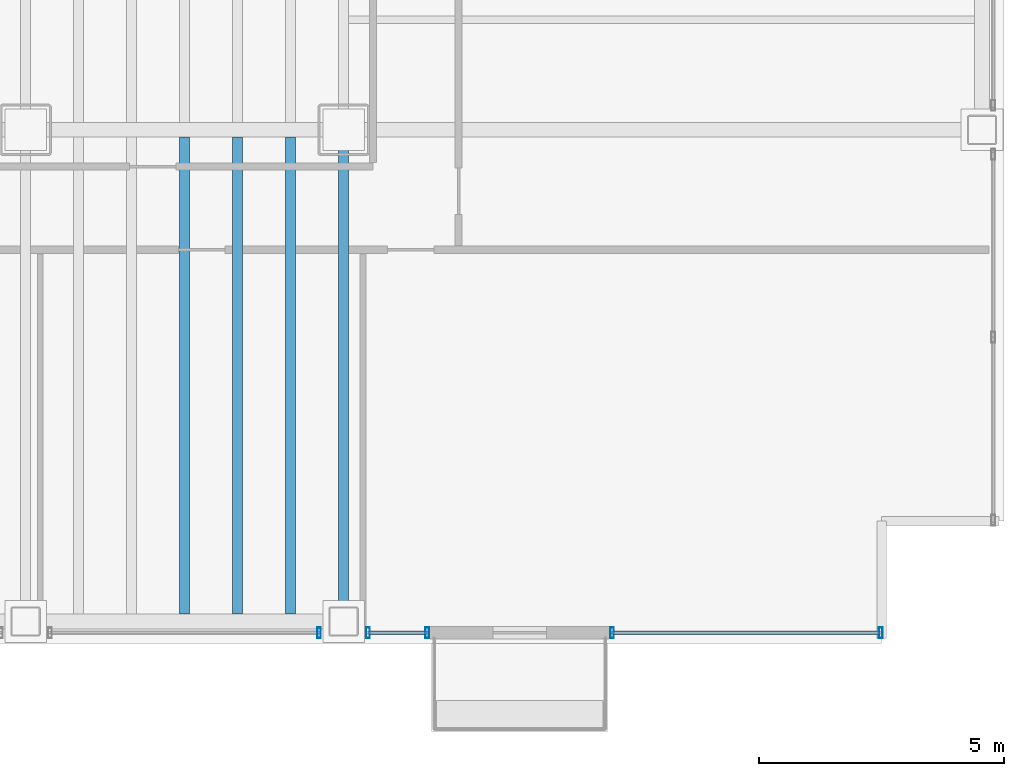
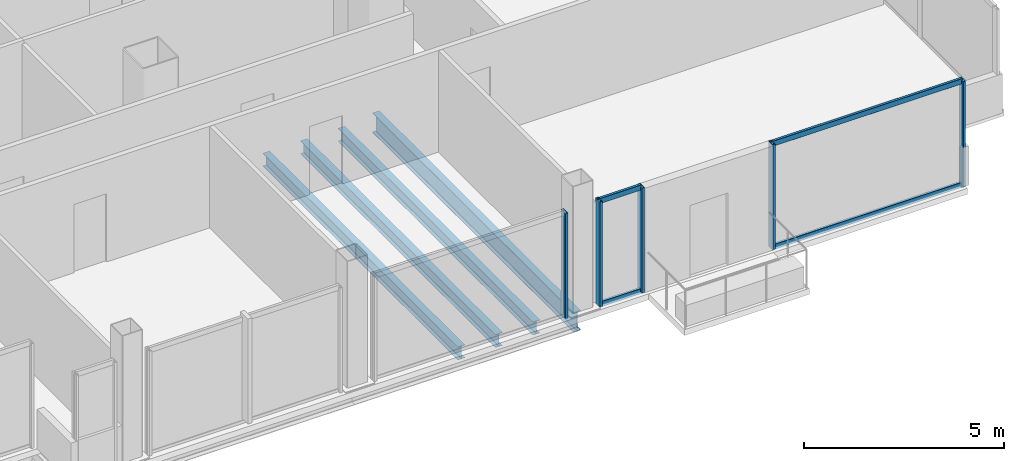
# One storey, part 9 of 22: 9 members, 4 beams, 3 elements without a shape of their own.
"""IFC4 building model written with IfcOpenShell, lengths in metres."""

from ifc_helpers import new_model, si_unit, direction, frame, origin, origin_2d, place, context, subcontext, project, spatial, hollow_rectangle, i_section, extrude, material, material_profile, profile_set, type_object, element, aggregate, save


model = new_model("IFC4")

# Units and contexts
model_context = context("Model", 3, precision=1e-05, world=origin(), true_north=direction((0.0, 1.0)))
body_context = subcontext(model_context, "Body", "Model", "MODEL_VIEW")
ifc_project = project(units=[si_unit("LENGTHUNIT", "METRE"), si_unit("AREAUNIT", "SQUARE_METRE"), si_unit("VOLUMEUNIT", "CUBIC_METRE"), si_unit("PLANEANGLEUNIT", "RADIAN"), si_unit("MASSUNIT", "GRAM", prefix="KILO")], contexts=[model_context])

# Site, building, storey
site_placement = place(None, origin())
site = spatial("IfcSite", under=ifc_project, at=site_placement, CompositionType="ELEMENT")
building_placement = place(site_placement, origin())
building = spatial("IfcBuilding", under=site, at=building_placement, Name="Noeulbin Bourse Tower", CompositionType="ELEMENT")
storey_placement = place(building_placement, frame((0.0, 0.0, 85.0)))
storey = spatial("IfcBuildingStorey", under=building, at=storey_placement, Name="L21", CompositionType="ELEMENT", Elevation=85.0)

# Beams
ifc_material_1 = material(Name="Steel S355", Category="steel")
ifc_material_profile_1 = material_profile(ifc_material_1, i_section(OverallWidth=0.199951171875, OverallDepth=0.60009765625, WebThickness=0.010986328125, FlangeThickness=0.01708984375, FilletRadius=0.02197265625, at=origin_2d()), Name="H-600x200x11x17", Category="LoadBearing")
ifc_profile_set_1 = profile_set([ifc_material_profile_1], Name="Steel S355")
beam_type_1 = type_object("IfcBeamType", Name="BM-GRD-600", PredefinedType="USERDEFINED", material=ifc_profile_set_1)
beam_placement = place(storey_placement, frame((44.0, 9.949951171875, -0.47998046875), z_axis=(0.0, 1.0, 0.0), x_axis=(-1.0, 0.0, 0.0)))
element("IfcBeam", 1, at=beam_placement, inside=storey, type_object=beam_type_1, Name="Tower Primary Girder NS L21-5.1", ObjectType="GIRDER", PredefinedType="USERDEFINED", context=body_context, shape_type="SweptSolid", body=[
    extrude(i_section(OverallWidth=0.199951171875, OverallDepth=0.60009765625, WebThickness=0.010986328125, FlangeThickness=0.01708984375, FilletRadius=0.02197265625, at=origin_2d()), origin(), (0.0, 0.0, 1.0), 10.050048828125),
])
ifc_material_profile_2 = material_profile(ifc_material_1, i_section(OverallWidth=0.199951171875, OverallDepth=0.39990234375, WebThickness=0.008056640625, FlangeThickness=0.012939453125, FilletRadius=0.01611328125, at=origin_2d()), Name="H-400x200x8x13", Category="LoadBearing")
ifc_profile_set_2 = profile_set([ifc_material_profile_2], Name="Steel S355")
beam_type_2 = type_object("IfcBeamType", Name="BM-SEC-400", PredefinedType="BEAM", material=ifc_profile_set_2)
for number, where, z_axis, x_axis, name in (
    (2, (40.75, 10.10009765625, -0.3798828125), (0.0, 1.0, 0.0), (-1.0, 0.0, 0.0), "Tower Composite Joist L21-61"),
    (3, (41.833251953125, 10.10009765625, -0.3798828125), (0.0, 1.0, 0.0), (-1.0, 0.0, 0.0), "Tower Composite Joist L21-64"),
    (4, (42.916748046875, 10.10009765625, -0.3798828125), (0.0, 1.0, 0.0), (-1.0, 0.0, 0.0), "Tower Composite Joist L21-67"),
):
    element("IfcBeam", number, at=place(storey_placement, frame(where, z_axis=z_axis, x_axis=x_axis)), inside=storey, type_object=beam_type_2, Name=name, PredefinedType="BEAM", context=body_context, shape_type="SweptSolid", body=[
        extrude(i_section(OverallWidth=0.199951171875, OverallDepth=0.39990234375, WebThickness=0.008056640625, FlangeThickness=0.012939453125, FilletRadius=0.01611328125, at=origin_2d()), origin(), (0.0, 0.0, 1.0), 9.75),
    ])

# Curtain wall, member
ifc_material_2 = material(Name="Dark Solar-Control Double Glazing", Category="glass")
curtain_wall_type = type_object("IfcCurtainWallType", Name="CW-SYS-2", PredefinedType="NOTDEFINED", material=ifc_material_2)
curtain_wall_1_placement = place(storey_placement, origin())
curtain_wall_1 = element("IfcCurtainWall", 5, at=curtain_wall_1_placement, inside=storey, type_object=curtain_wall_type, Name="Unitised Curtain Wall CW-L21-S2-S3", PredefinedType="NOTDEFINED")
ifc_material_3 = material(Name="Anodised Aluminium 6063-T6", Category="aluminium")
ifc_material_profile_3 = material_profile(ifc_material_3, hollow_rectangle(XDim=0.074951171875, YDim=0.219970703125, WallThickness=0.0048828125, InnerFilletRadius=0.00244140625, OuterFilletRadius=0.0048828125, at=origin_2d()), Name="ALU-MULL-75x220x5", Category="LoadBearing")
ifc_profile_set_3 = profile_set([ifc_material_profile_3], Name="Anodised Aluminium 6063-T6")
member_type_1 = type_object("IfcMemberType", Name="CW-SYS-2-MUL", PredefinedType="MULLION", material=ifc_profile_set_3)
member_1_placement = place(storey_placement, frame((43.5, 9.719970703125, -0.02001953125), z_axis=(0.0, 0.0, 1.0), x_axis=(1.0, 0.0, 0.0)))
member_1 = element("IfcMember", 6, at=member_1_placement, type_object=member_type_1, Name="Curtain Wall Mullion CW-L21-S2-S3-M01", PredefinedType="MULLION", context=body_context, shape_type="SweptSolid", body=[
    extrude(hollow_rectangle(XDim=0.074951171875, YDim=0.219970703125, WallThickness=0.0048828125, InnerFilletRadius=0.00244140625, OuterFilletRadius=0.0048828125, at=origin_2d()), origin(), (0.0, 0.0, 1.0), 3.219970703125),
])
aggregate(curtain_wall_1, [member_1])

# Curtain wall, members
curtain_wall_2_placement = place(storey_placement, origin())
curtain_wall_2 = element("IfcCurtainWall", 7, at=curtain_wall_2_placement, inside=storey, type_object=curtain_wall_type, Name="Unitised Curtain Wall CW-L21-S2-S4", PredefinedType="NOTDEFINED")
member_2_placement = place(storey_placement, frame((44.5, 9.719970703125, -0.02001953125), z_axis=(0.0, 0.0, 1.0), x_axis=(1.0, 0.0, 0.0)))
member_2 = element("IfcMember", 8, at=member_2_placement, type_object=member_type_1, Name="Curtain Wall Mullion CW-L21-S2-S4-M00", PredefinedType="MULLION", context=body_context, shape_type="SweptSolid", body=[
    extrude(hollow_rectangle(XDim=0.074951171875, YDim=0.219970703125, WallThickness=0.0048828125, InnerFilletRadius=0.00244140625, OuterFilletRadius=0.0048828125, at=origin_2d()), origin(), (0.0, 0.0, 1.0), 3.219970703125),
])
member_3_placement = place(storey_placement, frame((45.7099609375, 9.719970703125, -0.02001953125), z_axis=(0.0, 0.0, 1.0), x_axis=(1.0, 0.0, 0.0)))
member_3 = element("IfcMember", 9, at=member_3_placement, type_object=member_type_1, Name="Curtain Wall Mullion CW-L21-S2-S4-M01", PredefinedType="MULLION", context=body_context, shape_type="SweptSolid", body=[
    extrude(hollow_rectangle(XDim=0.074951171875, YDim=0.219970703125, WallThickness=0.0048828125, InnerFilletRadius=0.00244140625, OuterFilletRadius=0.0048828125, at=origin_2d()), origin(), (0.0, 0.0, 1.0), 3.219970703125),
])

curtain_wall_3_placement = place(storey_placement, origin())
curtain_wall_3 = element("IfcCurtainWall", 10, at=curtain_wall_3_placement, inside=storey, type_object=curtain_wall_type, Name="Unitised Curtain Wall CW-L21-S3", PredefinedType="NOTDEFINED")
member_4_placement = place(storey_placement, frame((49.489990234375, 9.719970703125, -0.02001953125), z_axis=(0.0, 0.0, 1.0), x_axis=(1.0, 0.0, 0.0)))
member_4 = element("IfcMember", 11, at=member_4_placement, type_object=member_type_1, Name="Curtain Wall Mullion CW-L21-S3-M00", PredefinedType="MULLION", context=body_context, shape_type="SweptSolid", body=[
    extrude(hollow_rectangle(XDim=0.074951171875, YDim=0.219970703125, WallThickness=0.0048828125, InnerFilletRadius=0.00244140625, OuterFilletRadius=0.0048828125, at=origin_2d()), origin(), (0.0, 0.0, 1.0), 3.219970703125),
])
member_5_placement = place(storey_placement, frame((54.97998046875, 9.719970703125, -0.02001953125), z_axis=(0.0, 0.0, 1.0), x_axis=(1.0, 0.0, 0.0)))
member_5 = element("IfcMember", 12, at=member_5_placement, type_object=member_type_1, Name="Curtain Wall Mullion CW-L21-S3-M01", PredefinedType="MULLION", context=body_context, shape_type="SweptSolid", body=[
    extrude(hollow_rectangle(XDim=0.074951171875, YDim=0.219970703125, WallThickness=0.0048828125, InnerFilletRadius=0.00244140625, OuterFilletRadius=0.0048828125, at=origin_2d()), origin(), (0.0, 0.0, 1.0), 3.219970703125),
])

# Member
ifc_material_profile_4 = material_profile(ifc_material_3, hollow_rectangle(XDim=0.074951171875, YDim=0.159912109375, WallThickness=0.0048828125, InnerFilletRadius=0.00244140625, OuterFilletRadius=0.0048828125, at=origin_2d()), Name="ALU-TRAN-75x160x5", Category="LoadBearing")
ifc_profile_set_4 = profile_set([ifc_material_profile_4], Name="Anodised Aluminium 6063-T6")
member_type_2 = type_object("IfcMemberType", Name="CW-SYS-2-TRN", PredefinedType="USERDEFINED", material=ifc_profile_set_4)
member_6_placement = place(storey_placement, frame((44.510009765625, 9.719970703125, 0.010009765625), z_axis=(1.0, 0.0, 0.0), x_axis=(0.0, 1.0, 0.0)))
member_6 = element("IfcMember", 13, at=member_6_placement, type_object=member_type_2, Name="Curtain Wall Transom CW-L21-S2-S4-T00", ObjectType="TRANSOM", PredefinedType="USERDEFINED", context=body_context, shape_type="SweptSolid", body=[
    extrude(hollow_rectangle(XDim=0.074951171875, YDim=0.159912109375, WallThickness=0.0048828125, InnerFilletRadius=0.00244140625, OuterFilletRadius=0.0048828125, at=origin_2d()), origin(), (0.0, 0.0, 1.0), 1.18994140625),
])

member_7_placement = place(storey_placement, frame((44.510009765625, 9.719970703125, 3.169921875), z_axis=(1.0, 0.0, 0.0), x_axis=(0.0, 1.0, 0.0)))
member_7 = element("IfcMember", 14, at=member_7_placement, type_object=member_type_2, Name="Curtain Wall Transom CW-L21-S2-S4-T01", ObjectType="TRANSOM", PredefinedType="USERDEFINED", context=body_context, shape_type="SweptSolid", body=[
    extrude(hollow_rectangle(XDim=0.074951171875, YDim=0.159912109375, WallThickness=0.0048828125, InnerFilletRadius=0.00244140625, OuterFilletRadius=0.0048828125, at=origin_2d()), origin(), (0.0, 0.0, 1.0), 1.18994140625),
])

aggregate(curtain_wall_2, [member_2, member_3, member_6, member_7])

member_8_placement = place(storey_placement, frame((49.5, 9.719970703125, 0.010009765625), z_axis=(1.0, 0.0, 0.0), x_axis=(0.0, 1.0, 0.0)))
member_8 = element("IfcMember", 15, at=member_8_placement, type_object=member_type_2, Name="Curtain Wall Transom CW-L21-S3-T00", ObjectType="TRANSOM", PredefinedType="USERDEFINED", context=body_context, shape_type="SweptSolid", body=[
    extrude(hollow_rectangle(XDim=0.074951171875, YDim=0.159912109375, WallThickness=0.0048828125, InnerFilletRadius=0.00244140625, OuterFilletRadius=0.0048828125, at=origin_2d()), origin(), (0.0, 0.0, 1.0), 5.469970703125),
])

member_9_placement = place(storey_placement, frame((49.5, 9.719970703125, 3.169921875), z_axis=(1.0, 0.0, 0.0), x_axis=(0.0, 1.0, 0.0)))
member_9 = element("IfcMember", 16, at=member_9_placement, type_object=member_type_2, Name="Curtain Wall Transom CW-L21-S3-T01", ObjectType="TRANSOM", PredefinedType="USERDEFINED", context=body_context, shape_type="SweptSolid", body=[
    extrude(hollow_rectangle(XDim=0.074951171875, YDim=0.159912109375, WallThickness=0.0048828125, InnerFilletRadius=0.00244140625, OuterFilletRadius=0.0048828125, at=origin_2d()), origin(), (0.0, 0.0, 1.0), 5.469970703125),
])

aggregate(curtain_wall_3, [member_4, member_5, member_8, member_9])

save(model, "model.ifc")
